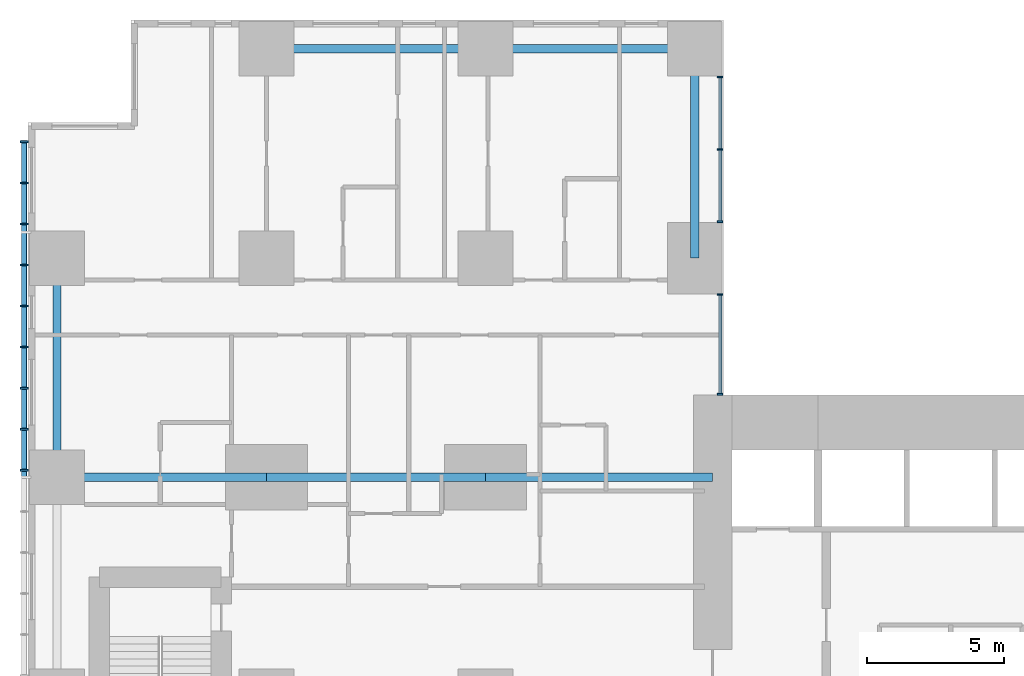
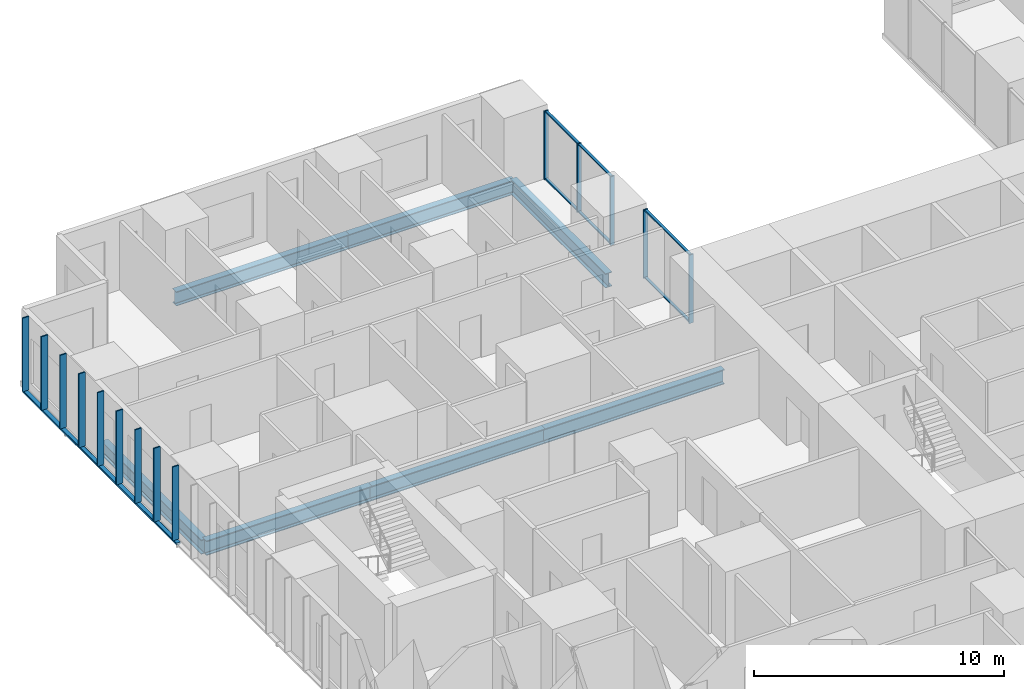
# One storey, part 4 of 20: 21 members, 7 beams, 2 elements without a shape of their own.
"""IFC4 building model written with IfcOpenShell, lengths in metres."""

from ifc_helpers import new_model, si_unit, direction, frame, origin, origin_2d, place, context, subcontext, project, spatial, rectangle, hollow_rectangle, i_section, extrude, material, layer, layer_set, material_profile, profile_set, type_object, element, aggregate, save


model = new_model("IFC4")

# Units and contexts
model_context = context("Model", 3, precision=1e-05, world=origin(), true_north=direction((0.0, 1.0)))
body_context = subcontext(model_context, "Body", "Model", "MODEL_VIEW")
ifc_project = project(units=[si_unit("LENGTHUNIT", "METRE"), si_unit("AREAUNIT", "SQUARE_METRE"), si_unit("VOLUMEUNIT", "CUBIC_METRE"), si_unit("PLANEANGLEUNIT", "RADIAN"), si_unit("MASSUNIT", "GRAM", prefix="KILO")], contexts=[model_context])

# Site, building, storey
site_placement = place(None, origin())
site = spatial("IfcSite", under=ifc_project, at=site_placement, CompositionType="ELEMENT")
building_placement = place(site_placement, origin())
building = spatial("IfcBuilding", under=site, at=building_placement, Name="Cleftline Residences", CompositionType="ELEMENT")
storey_placement = place(building_placement, frame((0.0, 0.0, 107.0)))
storey = spatial("IfcBuildingStorey", under=building, at=storey_placement, Name="L27", CompositionType="ELEMENT", Elevation=107.0)

# Member
ifc_material_1 = material(Name="Steel S355, hot-dip galvanised", Category="steel")
ifc_material_profile_1 = material_profile(ifc_material_1, hollow_rectangle(XDim=0.10009765625, YDim=0.199951171875, WallThickness=0.008056640625, InnerFilletRadius=0.008056640625, OuterFilletRadius=0.011962890625, at=origin_2d()))
ifc_profile_set_1 = profile_set([ifc_material_profile_1], Name="Steel S355, hot-dip galvanised")
member_type_1 = type_object("IfcMemberType", Name="BAGUETTE CARRIER RHS 200X100X8", PredefinedType="USERDEFINED", material=ifc_profile_set_1)
member_1_placement = place(storey_placement, frame((-0.85009765625, 44.300048828125, -0.050048828125), z_axis=(0.0, -1.0, 0.0), x_axis=(0.0, 0.0, 1.0)))
element("IfcMember", 1, at=member_1_placement, inside=storey, type_object=member_type_1, Name="Baguette carrier", ObjectType="BAGUETTE CARRIER", PredefinedType="USERDEFINED", context=body_context, shape_type="SweptSolid", body=[
    extrude(hollow_rectangle(XDim=0.10009765625, YDim=0.199951171875, WallThickness=0.008056640625, InnerFilletRadius=0.008056640625, OuterFilletRadius=0.011962890625, at=origin_2d()), origin(), (0.0, 0.0, 1.0), 12.300048828125),
])

# Beams
ifc_material_2 = material(Name="Steel S355", Category="steel")
ifc_material_profile_2 = material_profile(ifc_material_2, i_section(OverallWidth=0.300048828125, OverallDepth=0.699951171875, WebThickness=0.01708984375, FlangeThickness=0.031982421875, FilletRadius=0.027099609375, at=origin_2d()))
ifc_profile_set_2 = profile_set([ifc_material_profile_2], Name="Steel S355")
beam_type_1 = type_object("IfcBeamType", Name="BEAM HEB 700", PredefinedType="BEAM", material=ifc_profile_set_2)
for number, where, z_axis, x_axis, name in (
    (2, (0.35009765625, 32.0, -0.60009765625), (0.0, 1.0, 0.0), (-1.0, 0.0, 0.0), "Edge beam"),
    (3, (8.0, 47.64990234375, -0.60009765625), (1.0, 0.0, 0.0), (0.0, 1.0, 0.0), "Edge beam"),
):
    element("IfcBeam", number, at=place(storey_placement, frame(where, z_axis=z_axis, x_axis=x_axis)), inside=storey, type_object=beam_type_1, Name=name, PredefinedType="BEAM", context=body_context, shape_type="SweptSolid", body=[
        extrude(i_section(OverallWidth=0.300048828125, OverallDepth=0.699951171875, WebThickness=0.01708984375, FlangeThickness=0.031982421875, FilletRadius=0.027099609375, at=origin_2d()), origin(), (0.0, 0.0, 1.0), 8.0),
    ])
for number, where, z_axis, x_axis, name in (
    (4, (16.0, 47.64990234375, -0.60009765625), (1.0, 0.0, 0.0), (0.0, 1.0, 0.0), "Edge beam"),
    (5, (23.64990234375, 47.64990234375, -0.60009765625), (0.0, -1.0, 0.0), (1.0, 0.0, 0.0), "Edge beam"),
):
    element("IfcBeam", number, at=place(storey_placement, frame(where, z_axis=z_axis, x_axis=x_axis)), inside=storey, type_object=beam_type_1, Name=name, PredefinedType="BEAM", context=body_context, shape_type="SweptSolid", body=[
        extrude(i_section(OverallWidth=0.300048828125, OverallDepth=0.699951171875, WebThickness=0.01708984375, FlangeThickness=0.031982421875, FilletRadius=0.027099609375, at=origin_2d()), origin(), (0.0, 0.0, 1.0), 7.64990234375),
    ])
ifc_material_3 = material(Name="Steel S355", Category="steel")
ifc_material_profile_3 = material_profile(ifc_material_3, i_section(OverallWidth=0.303955078125, OverallDepth=0.716064453125, WebThickness=0.02099609375, FlangeThickness=0.0400390625, FilletRadius=0.027099609375, at=origin_2d()))
ifc_profile_set_3 = profile_set([ifc_material_profile_3], Name="Steel S355")
beam_type_2 = type_object("IfcBeamType", Name="BEAM HEM 700", PredefinedType="BEAM", material=ifc_profile_set_3)
beam_1_placement = place(storey_placement, frame((0.35009765625, 32.0, -0.60791015625), z_axis=(1.0, 0.0, 0.0), x_axis=(0.0, 1.0, 0.0)))
element("IfcBeam", 6, at=beam_1_placement, inside=storey, type_object=beam_type_2, Name="Band beam", PredefinedType="BEAM", context=body_context, shape_type="SweptSolid", body=[
    extrude(i_section(OverallWidth=0.303955078125, OverallDepth=0.716064453125, WebThickness=0.02099609375, FlangeThickness=0.0400390625, FilletRadius=0.027099609375, at=origin_2d()), origin(), (0.0, 0.0, 1.0), 7.64990234375),
])
beam_2_placement = place(storey_placement, frame((8.0, 32.0, -0.60791015625), z_axis=(1.0, 0.0, 0.0), x_axis=(0.0, 1.0, 0.0)))
element("IfcBeam", 7, at=beam_2_placement, inside=storey, type_object=beam_type_2, Name="Band beam", PredefinedType="BEAM", context=body_context, shape_type="SweptSolid", body=[
    extrude(i_section(OverallWidth=0.303955078125, OverallDepth=0.716064453125, WebThickness=0.02099609375, FlangeThickness=0.0400390625, FilletRadius=0.027099609375, at=origin_2d()), origin(), (0.0, 0.0, 1.0), 8.0),
])
beam_3_placement = place(storey_placement, frame((16.0, 32.0, -0.60791015625), z_axis=(1.0, 0.0, 0.0), x_axis=(0.0, 1.0, 0.0)))
element("IfcBeam", 8, at=beam_3_placement, inside=storey, type_object=beam_type_2, Name="Band beam", PredefinedType="BEAM", context=body_context, shape_type="SweptSolid", body=[
    extrude(i_section(OverallWidth=0.303955078125, OverallDepth=0.716064453125, WebThickness=0.02099609375, FlangeThickness=0.0400390625, FilletRadius=0.027099609375, at=origin_2d()), origin(), (0.0, 0.0, 1.0), 8.300048828125),
])

# Curtain wall, members
ifc_material_4 = material(Name="Aluminium framed curtain wall", Category="aluminium")
ifc_layer = layer(ifc_material_4, 0.199951171875)
ifc_layer_set = layer_set([ifc_layer], Name="CW1 CLEFT GLAZING")
curtain_wall_type = type_object("IfcCurtainWallType", Name="CW1 CLEFT GLAZING", PredefinedType="NOTDEFINED", material=ifc_layer_set)
curtain_wall_1_placement = place(storey_placement, origin())
curtain_wall_1 = element("IfcCurtainWall", 9, at=curtain_wall_1_placement, inside=storey, type_object=curtain_wall_type, Name="Curtain wall CW1", PredefinedType="NOTDEFINED")
ifc_material_5 = material(Name="Aluminium mullion", Category="aluminium")
ifc_material_profile_4 = material_profile(ifc_material_5, rectangle(XDim=0.199951171875, YDim=0.06005859375, at=origin_2d()))
ifc_profile_set_4 = profile_set([ifc_material_profile_4], Name="Aluminium mullion")
member_type_2 = type_object("IfcMemberType", Name="CW1 MULLION", PredefinedType="MULLION", material=ifc_profile_set_4)
member_2_placement = place(storey_placement, frame((24.574951171875, 35.030029296875, 0.0), z_axis=(0.0, 0.0, 1.0), x_axis=(-1.0, 0.0, 0.0)))
member_2 = element("IfcMember", 10, at=member_2_placement, type_object=member_type_2, Name="CW1 mullion 1", PredefinedType="MULLION", context=body_context, shape_type="SweptSolid", body=[
    extrude(rectangle(XDim=0.199951171875, YDim=0.06005859375, at=origin_2d()), origin(), (0.0, 0.0, 1.0), 3.35009765625),
])
member_3_placement = place(storey_placement, frame((24.574951171875, 38.669921875, 0.0), z_axis=(0.0, 0.0, 1.0), x_axis=(-1.0, 0.0, 0.0)))
member_3 = element("IfcMember", 11, at=member_3_placement, type_object=member_type_2, Name="CW1 mullion 2", PredefinedType="MULLION", context=body_context, shape_type="SweptSolid", body=[
    extrude(rectangle(XDim=0.199951171875, YDim=0.06005859375, at=origin_2d()), origin(), (0.0, 0.0, 1.0), 3.35009765625),
])

curtain_wall_2_placement = place(storey_placement, origin())
curtain_wall_2 = element("IfcCurtainWall", 12, at=curtain_wall_2_placement, inside=storey, type_object=curtain_wall_type, Name="Curtain wall CW1", PredefinedType="NOTDEFINED")
member_4_placement = place(storey_placement, frame((24.574951171875, 41.330078125, 0.0), z_axis=(0.0, 0.0, 1.0), x_axis=(-1.0, 0.0, 0.0)))
member_4 = element("IfcMember", 13, at=member_4_placement, type_object=member_type_2, Name="CW1 mullion 1", PredefinedType="MULLION", context=body_context, shape_type="SweptSolid", body=[
    extrude(rectangle(XDim=0.199951171875, YDim=0.06005859375, at=origin_2d()), origin(), (0.0, 0.0, 1.0), 3.35009765625),
])
member_5_placement = place(storey_placement, frame((24.574951171875, 43.97509765625, 0.0), z_axis=(0.0, 0.0, 1.0), x_axis=(-1.0, 0.0, 0.0)))
member_5 = element("IfcMember", 14, at=member_5_placement, type_object=member_type_2, Name="CW1 mullion 2", PredefinedType="MULLION", context=body_context, shape_type="SweptSolid", body=[
    extrude(rectangle(XDim=0.199951171875, YDim=0.06005859375, at=origin_2d()), origin(), (0.0, 0.0, 1.0), 3.35009765625),
])
member_6_placement = place(storey_placement, frame((24.574951171875, 46.6201171875, 0.0), z_axis=(0.0, 0.0, 1.0), x_axis=(-1.0, 0.0, 0.0)))
member_6 = element("IfcMember", 15, at=member_6_placement, type_object=member_type_2, Name="CW1 mullion 3", PredefinedType="MULLION", context=body_context, shape_type="SweptSolid", body=[
    extrude(rectangle(XDim=0.199951171875, YDim=0.06005859375, at=origin_2d()), origin(), (0.0, 0.0, 1.0), 3.35009765625),
])

# Member
ifc_material_6 = material(Name="Aluminium transom", Category="aluminium")
ifc_material_profile_5 = material_profile(ifc_material_6, rectangle(XDim=0.1201171875, YDim=0.06005859375, at=origin_2d()))
ifc_profile_set_5 = profile_set([ifc_material_profile_5], Name="Aluminium transom")
member_type_3 = type_object("IfcMemberType", Name="CW1 TRANSOM", PredefinedType="USERDEFINED", material=ifc_profile_set_5)
member_7_placement = place(storey_placement, frame((24.574951171875, 35.06005859375, 0.030029296875), z_axis=(0.0, 1.0, 0.0), x_axis=(-1.0, 0.0, 0.0)))
member_7 = element("IfcMember", 16, at=member_7_placement, type_object=member_type_3, Name="CW1 transom 1.1", ObjectType="TRANSOM", PredefinedType="USERDEFINED", context=body_context, shape_type="SweptSolid", body=[
    extrude(rectangle(XDim=0.1201171875, YDim=0.06005859375, at=origin_2d()), origin(), (0.0, 0.0, 1.0), 3.579833984375),
])

member_8_placement = place(storey_placement, frame((24.574951171875, 35.06005859375, 3.320068359375), z_axis=(0.0, 1.0, 0.0), x_axis=(-1.0, 0.0, 0.0)))
member_8 = element("IfcMember", 17, at=member_8_placement, type_object=member_type_3, Name="CW1 transom 1.2", ObjectType="TRANSOM", PredefinedType="USERDEFINED", context=body_context, shape_type="SweptSolid", body=[
    extrude(rectangle(XDim=0.1201171875, YDim=0.06005859375, at=origin_2d()), origin(), (0.0, 0.0, 1.0), 3.579833984375),
])

aggregate(curtain_wall_1, [member_2, member_3, member_7, member_8])

member_9_placement = place(storey_placement, frame((24.574951171875, 41.360107421875, 0.030029296875), z_axis=(0.0, 1.0, 0.0), x_axis=(-1.0, 0.0, 0.0)))
member_9 = element("IfcMember", 18, at=member_9_placement, type_object=member_type_3, Name="CW1 transom 1.1", ObjectType="TRANSOM", PredefinedType="USERDEFINED", context=body_context, shape_type="SweptSolid", body=[
    extrude(rectangle(XDim=0.1201171875, YDim=0.06005859375, at=origin_2d()), origin(), (0.0, 0.0, 1.0), 2.5849609375),
])

member_10_placement = place(storey_placement, frame((24.574951171875, 41.360107421875, 3.320068359375), z_axis=(0.0, 1.0, 0.0), x_axis=(-1.0, 0.0, 0.0)))
member_10 = element("IfcMember", 19, at=member_10_placement, type_object=member_type_3, Name="CW1 transom 1.2", ObjectType="TRANSOM", PredefinedType="USERDEFINED", context=body_context, shape_type="SweptSolid", body=[
    extrude(rectangle(XDim=0.1201171875, YDim=0.06005859375, at=origin_2d()), origin(), (0.0, 0.0, 1.0), 2.5849609375),
])

member_11_placement = place(storey_placement, frame((24.574951171875, 44.0048828125, 0.030029296875), z_axis=(0.0, 1.0, 0.0), x_axis=(-1.0, 0.0, 0.0)))
member_11 = element("IfcMember", 20, at=member_11_placement, type_object=member_type_3, Name="CW1 transom 2.1", ObjectType="TRANSOM", PredefinedType="USERDEFINED", context=body_context, shape_type="SweptSolid", body=[
    extrude(rectangle(XDim=0.1201171875, YDim=0.06005859375, at=origin_2d()), origin(), (0.0, 0.0, 1.0), 2.585205078125),
])

member_12_placement = place(storey_placement, frame((24.574951171875, 44.0048828125, 3.320068359375), z_axis=(0.0, 1.0, 0.0), x_axis=(-1.0, 0.0, 0.0)))
member_12 = element("IfcMember", 21, at=member_12_placement, type_object=member_type_3, Name="CW1 transom 2.2", ObjectType="TRANSOM", PredefinedType="USERDEFINED", context=body_context, shape_type="SweptSolid", body=[
    extrude(rectangle(XDim=0.1201171875, YDim=0.06005859375, at=origin_2d()), origin(), (0.0, 0.0, 1.0), 2.585205078125),
])

aggregate(curtain_wall_2, [member_4, member_5, member_6, member_9, member_10, member_11, member_12])

# Members
ifc_material_7 = material(Name="Extruded terracotta", Category="masonry")
ifc_material_profile_6 = material_profile(ifc_material_7, rectangle(XDim=0.06005859375, YDim=0.300048828125, at=origin_2d()))
ifc_profile_set_6 = profile_set([ifc_material_profile_6], Name="Extruded terracotta")
member_type_4 = type_object("IfcMemberType", Name="TERRACOTTA BAGUETTE 60X300", PredefinedType="USERDEFINED", material=ifc_profile_set_6)
for number, where, z_axis, x_axis, name in (
    (22, (-0.85009765625, 44.25, 0.0), (0.0, 0.0, 1.0), (0.0, 1.0, 0.0), "Terracotta baguette"),
    (23, (-0.85009765625, 42.75, 0.0), (0.0, 0.0, 1.0), (0.0, 1.0, 0.0), "Terracotta baguette"),
    (24, (-0.85009765625, 41.25, 0.0), (0.0, 0.0, 1.0), (0.0, 1.0, 0.0), "Terracotta baguette"),
    (25, (-0.85009765625, 39.75, 0.0), (0.0, 0.0, 1.0), (0.0, 1.0, 0.0), "Terracotta baguette"),
    (26, (-0.85009765625, 38.25, 0.0), (0.0, 0.0, 1.0), (0.0, 1.0, 0.0), "Terracotta baguette"),
    (27, (-0.85009765625, 36.75, 0.0), (0.0, 0.0, 1.0), (0.0, 1.0, 0.0), "Terracotta baguette"),
    (28, (-0.85009765625, 35.25, 0.0), (0.0, 0.0, 1.0), (0.0, 1.0, 0.0), "Terracotta baguette"),
    (29, (-0.85009765625, 33.75, 0.0), (0.0, 0.0, 1.0), (0.0, 1.0, 0.0), "Terracotta baguette"),
    (30, (-0.85009765625, 32.25, 0.0), (0.0, 0.0, 1.0), (0.0, 1.0, 0.0), "Terracotta baguette"),
):
    element("IfcMember", number, at=place(storey_placement, frame(where, z_axis=z_axis, x_axis=x_axis)), inside=storey, type_object=member_type_4, Name=name, ObjectType="BAGUETTE", PredefinedType="USERDEFINED", context=body_context, shape_type="SweptSolid", body=[
        extrude(rectangle(XDim=0.06005859375, YDim=0.300048828125, at=origin_2d()), origin(), (0.0, 0.0, 1.0), 3.60009765625),
    ])

save(model, "model.ifc")
